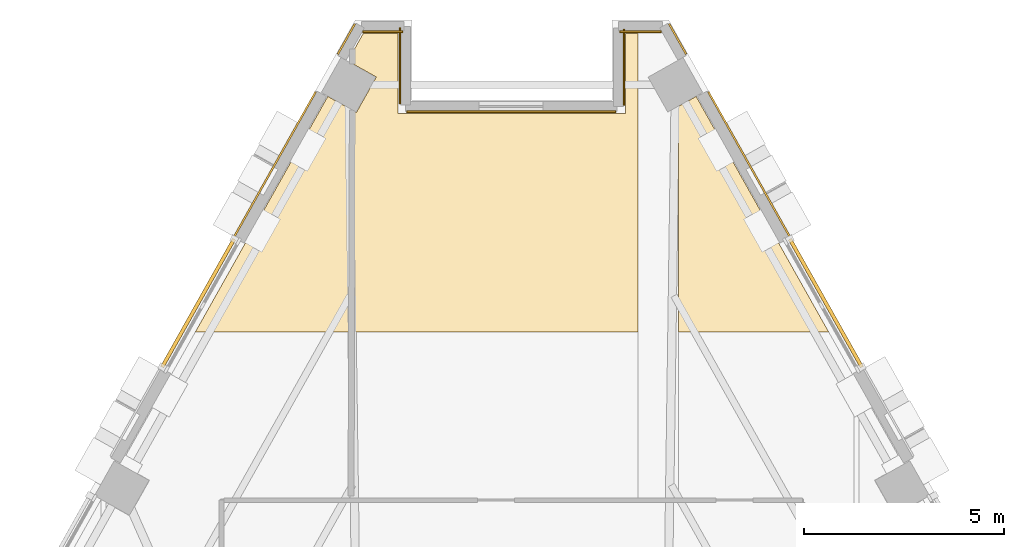
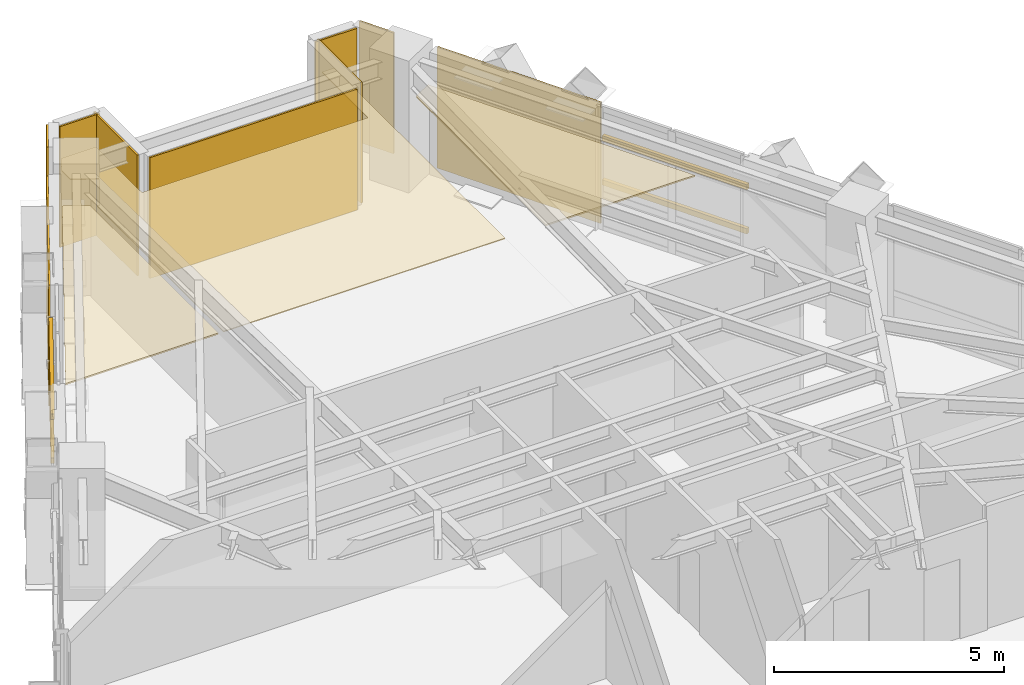
# One storey, part 14 of 14: 12 coverings, 4 shading devices.
"""IFC4 building model written with IfcOpenShell, lengths in metres."""

from ifc_helpers import new_model, si_unit, direction, frame, origin, origin_2d, place, context, subcontext, project, spatial, polyline, rectangle, outline, extrude, material, layer, layer_set, material_profile, profile_set, type_object, element, save


model = new_model("IFC4")

# Units and contexts
model_context = context("Model", 3, precision=1e-05, world=origin(), true_north=direction((0.0, 1.0)))
body_context = subcontext(model_context, "Body", "Model", "MODEL_VIEW")
ifc_project = project(units=[si_unit("LENGTHUNIT", "METRE"), si_unit("AREAUNIT", "SQUARE_METRE"), si_unit("VOLUMEUNIT", "CUBIC_METRE"), si_unit("PLANEANGLEUNIT", "RADIAN"), si_unit("MASSUNIT", "GRAM", prefix="KILO")], contexts=[model_context])

# Site, building, storey
site_placement = place(None, origin())
site = spatial("IfcSite", under=ifc_project, at=site_placement, CompositionType="ELEMENT")
building_placement = place(site_placement, origin())
building = spatial("IfcBuilding", under=site, at=building_placement, Name="Quenlor Broadcast Tower", CompositionType="ELEMENT")
storey_placement = place(building_placement, frame((0.0, 0.0, 165.0)))
storey = spatial("IfcBuildingStorey", under=building, at=storey_placement, Name="L45", CompositionType="ELEMENT", Elevation=165.0)

# Coverings
ifc_material_1 = material(Name="Acoustic Mineral Fibre Board", Category="other")
ifc_layer_1 = layer(ifc_material_1, 0.02490234375)
ifc_layer_set_1 = layer_set([ifc_layer_1], Name="Acoustic Perforated Mineral Tile Ceiling 25")
covering_type_1 = type_object("IfcCoveringType", Name="Acoustic Perforated Mineral Tile Ceiling 25", PredefinedType="CEILING", material=ifc_layer_set_1)
covering_1_placement = place(storey_placement, frame((0.0, 0.0, 2.375)))
element("IfcCovering", 1, at=covering_1_placement, inside=storey, type_object=covering_type_1, Name="L45 Acoustic Ceiling L45-29-2", PredefinedType="CEILING", context=body_context, shape_type="SweptSolid", body=[
    extrude(outline(polyline([(2.840087890625, 18.10009765625), (2.840087890625, 20.10009765625), (3.139892578125, 20.10009765625), (3.139892578125, 12.64990234375), (-3.93994140625, 12.64990234375), (-3.93994140625, 18.160888671875), (-3.885498046875, 18.13037109375), (-3.387451171875, 19.015869140625), (-3.93994140625, 19.32666015625), (-3.93994140625, 19.701904296875), (-3.71630859375, 20.10009765625), (-2.840087890625, 20.10009765625), (-2.840087890625, 18.10009765625), (2.840087890625, 18.10009765625)])), origin(), (0.0, 0.0, 1.0), 0.02490234375),
])
ifc_material_2 = material(Name="Acoustic Gypsum Board", Category="other")
ifc_layer_2 = layer(ifc_material_2, 0.0400390625)
ifc_layer_set_2 = layer_set([ifc_layer_2], Name="Broadcast Studio Spring Isolated Ceiling 40")
covering_type_2 = type_object("IfcCoveringType", Name="Broadcast Studio Spring Isolated Ceiling 40", PredefinedType="CEILING", material=ifc_layer_set_2)
covering_2_placement = place(storey_placement, frame((0.0, 0.0, 2.360107421875)))
element("IfcCovering", 2, at=covering_2_placement, inside=storey, type_object=covering_type_2, Name="L45 Acoustic Ceiling L45-30-2", PredefinedType="CEILING", context=body_context, shape_type="SweptSolid", body=[
    extrude(outline(polyline([(-4.598388671875, 18.53125), (-4.06005859375, 18.228515625), (-4.06005859375, 12.64990234375), (-7.90673828125, 12.64990234375), (-4.598388671875, 18.53125)])), origin(), (0.0, 0.0, 1.0), 0.039794921875),
])
covering_3_placement = place(storey_placement, frame((0.0, 0.0, 2.360107421875)))
element("IfcCovering", 3, at=covering_3_placement, inside=storey, type_object=covering_type_2, Name="L45 Acoustic Ceiling L45-31-2", PredefinedType="CEILING", context=body_context, shape_type="SweptSolid", body=[
    extrude(outline(polyline([(4.159912109375, 18.28466796875), (4.598388671875, 18.53125), (7.90673828125, 12.64990234375), (4.159912109375, 12.64990234375), (4.159912109375, 18.28466796875)])), origin(), (0.0, 0.0, 1.0), 0.039794921875),
])

# Shading devices
ifc_material_3 = material(Name="Architectural Terracotta Ceramic", Category="masonry")
ifc_material_profile = material_profile(ifc_material_3, rectangle(XDim=0.090087890625, YDim=0.139892578125, at=origin_2d()))
ifc_profile_set = profile_set([ifc_material_profile], Name="Architectural Terracotta Ceramic BAG90x140")
shading_device_type = type_object("IfcShadingDeviceType", Name="Copper Terracotta Baguette Solar Screen 140", PredefinedType="USERDEFINED", material=ifc_profile_set)
for number, where, z_axis, x_axis, name in (
    (4, (6.938720703125, 14.968505859375, 1.169921875), (0.490286548151, -0.871561300599, 0.0), (0.871561300599, 0.490286548151, 0.0), "L45 Terracotta Baguette Screen 1"),
    (5, (6.938720703125, 14.968505859375, 2.340087890625), (0.490286548151, -0.871561300599, 0.0), (0.871561300599, 0.490286548151, 0.0), "L45 Terracotta Baguette Screen 2"),
    (6, (-8.735107421875, 11.775146484375, 1.169921875), (0.490286548151, 0.871561300599, 0.0), (-0.871561300599, 0.490286548151, 0.0), "L45 Terracotta Baguette Screen 1"),
    (7, (-8.735107421875, 11.775146484375, 2.340087890625), (0.490286548151, 0.871561300599, 0.0), (-0.871561300599, 0.490286548151, 0.0), "L45 Terracotta Baguette Screen 2"),
):
    element("IfcShadingDevice", number, at=place(storey_placement, frame(where, z_axis=z_axis, x_axis=x_axis)), inside=storey, type_object=shading_device_type, Name=name, ObjectType="BAGUETTE", PredefinedType="USERDEFINED", context=body_context, shape_type="SweptSolid", body=[
        extrude(rectangle(XDim=0.090087890625, YDim=0.139892578125, at=origin_2d()), origin(), (0.0, 0.0, 1.0), 3.6640625),
    ])

# Coverings
ifc_material_4 = material(Name="Architectural Terracotta Ceramic", Category="masonry")
ifc_layer_3 = layer(ifc_material_4, 0.044921875)
ifc_layer_set_3 = layer_set([ifc_layer_3], Name="Fluted Terracotta Rainscreen Cladding Panel")
covering_type_3 = type_object("IfcCoveringType", Name="Fluted Terracotta Rainscreen Cladding Panel", PredefinedType="CLADDING", material=ifc_layer_set_3)
covering_4_placement = place(storey_placement, frame((0.0, 0.0, 0.02001953125)))
element("IfcCovering", 8, at=covering_4_placement, inside=storey, type_object=covering_type_3, Name="L45 Terracotta Rainscreen Cladding L45-SHD-NES0", PredefinedType="CLADDING", context=body_context, shape_type="SweptSolid", body=[
    extrude(outline(polyline([(3.904296875, 20.330810546875), (4.32861328125, 19.576171875), (4.367919921875, 19.59814453125), (3.943359375, 20.352783203125), (3.904296875, 20.330810546875)])), origin(), (0.0, 0.0, 1.0), 3.2099609375),
])
covering_5_placement = place(storey_placement, frame((0.0, 0.0, 0.02001953125)))
element("IfcCovering", 9, at=covering_5_placement, inside=storey, type_object=covering_type_3, Name="L45 Terracotta Rainscreen Cladding L45-NEA-SP1", PredefinedType="CLADDING", context=body_context, shape_type="SweptSolid", body=[
    extrude(outline(polyline([(4.880615234375, 18.635986328125), (6.910400390625, 15.027099609375), (6.94970703125, 15.04931640625), (4.919677734375, 18.657958984375), (4.880615234375, 18.635986328125)])), origin(), (0.0, 0.0, 1.0), 3.2099609375),
])
covering_6_placement = place(storey_placement, frame((0.0, 0.0, 0.02001953125)))
element("IfcCovering", 10, at=covering_6_placement, inside=storey, type_object=covering_type_3, Name="L45 Terracotta Rainscreen Cladding L45-SHD-NWS1", PredefinedType="CLADDING", context=body_context, shape_type="SweptSolid", body=[
    extrude(outline(polyline([(-4.32861328125, 19.576171875), (-3.904296875, 20.330810546875), (-3.943359375, 20.352783203125), (-4.367919921875, 19.59814453125), (-4.32861328125, 19.576171875)])), origin(), (0.0, 0.0, 1.0), 3.2099609375),
])
covering_7_placement = place(storey_placement, frame((0.0, 0.0, 0.02001953125)))
element("IfcCovering", 11, at=covering_7_placement, inside=storey, type_object=covering_type_3, Name="L45 Terracotta Rainscreen Cladding L45-NWC-SP2", PredefinedType="CLADDING", context=body_context, shape_type="SweptSolid", body=[
    extrude(outline(polyline([(-6.910400390625, 15.027099609375), (-4.880615234375, 18.635986328125), (-4.919677734375, 18.657958984375), (-6.94970703125, 15.04931640625), (-6.910400390625, 15.027099609375)])), origin(), (0.0, 0.0, 1.0), 3.2099609375),
])
covering_8_placement = place(storey_placement, frame((0.0, 0.0, 0.02001953125)))
element("IfcCovering", 12, at=covering_8_placement, inside=storey, type_object=covering_type_3, Name="L45 Terracotta Rainscreen Cladding L45-CNR-06", PredefinedType="CLADDING", context=body_context, shape_type="SweptSolid", body=[
    extrude(outline(polyline([(3.7314453125, 20.16796875), (2.68994140625, 20.16796875), (2.68994140625, 20.123046875), (3.7314453125, 20.123046875), (3.7314453125, 20.16796875)])), origin(), (0.0, 0.0, 1.0), 3.2099609375),
])
covering_9_placement = place(storey_placement, frame((0.0, 0.0, 0.02001953125)))
element("IfcCovering", 13, at=covering_9_placement, inside=storey, type_object=covering_type_3, Name="L45 Terracotta Rainscreen Cladding L45-CNR-07", PredefinedType="CLADDING", context=body_context, shape_type="SweptSolid", body=[
    extrude(outline(polyline([(2.77197265625, 20.2099609375), (2.77197265625, 18.31005859375), (2.81689453125, 18.31005859375), (2.81689453125, 20.2099609375), (2.77197265625, 20.2099609375)])), origin(), (0.0, 0.0, 1.0), 3.2099609375),
])
covering_10_placement = place(storey_placement, frame((0.0, 0.0, 0.02001953125)))
element("IfcCovering", 14, at=covering_10_placement, inside=storey, type_object=covering_type_3, Name="L45 Terracotta Rainscreen Cladding L45-CNR-08", PredefinedType="CLADDING", context=body_context, shape_type="SweptSolid", body=[
    extrude(outline(polyline([(2.590087890625, 18.16796875), (-2.6298828125, 18.16796875), (-2.6298828125, 18.123046875), (2.590087890625, 18.123046875), (2.590087890625, 18.16796875)])), origin(), (0.0, 0.0, 1.0), 3.2099609375),
])
covering_11_placement = place(storey_placement, frame((0.0, 0.0, 0.02001953125)))
element("IfcCovering", 15, at=covering_11_placement, inside=storey, type_object=covering_type_3, Name="L45 Terracotta Rainscreen Cladding L45-CNR-09", PredefinedType="CLADDING", context=body_context, shape_type="SweptSolid", body=[
    extrude(outline(polyline([(-2.77197265625, 18.35009765625), (-2.77197265625, 20.25), (-2.81689453125, 20.25), (-2.81689453125, 18.35009765625), (-2.77197265625, 18.35009765625)])), origin(), (0.0, 0.0, 1.0), 3.2099609375),
])
covering_12_placement = place(storey_placement, frame((0.0, 0.0, 0.02001953125)))
element("IfcCovering", 16, at=covering_12_placement, inside=storey, type_object=covering_type_3, Name="L45 Terracotta Rainscreen Cladding L45-CNR-10", PredefinedType="CLADDING", context=body_context, shape_type="SweptSolid", body=[
    extrude(outline(polyline([(-2.72998046875, 20.16796875), (-3.7314453125, 20.16796875), (-3.7314453125, 20.123046875), (-2.72998046875, 20.123046875), (-2.72998046875, 20.16796875)])), origin(), (0.0, 0.0, 1.0), 3.2099609375),
])

save(model, "model.ifc")
